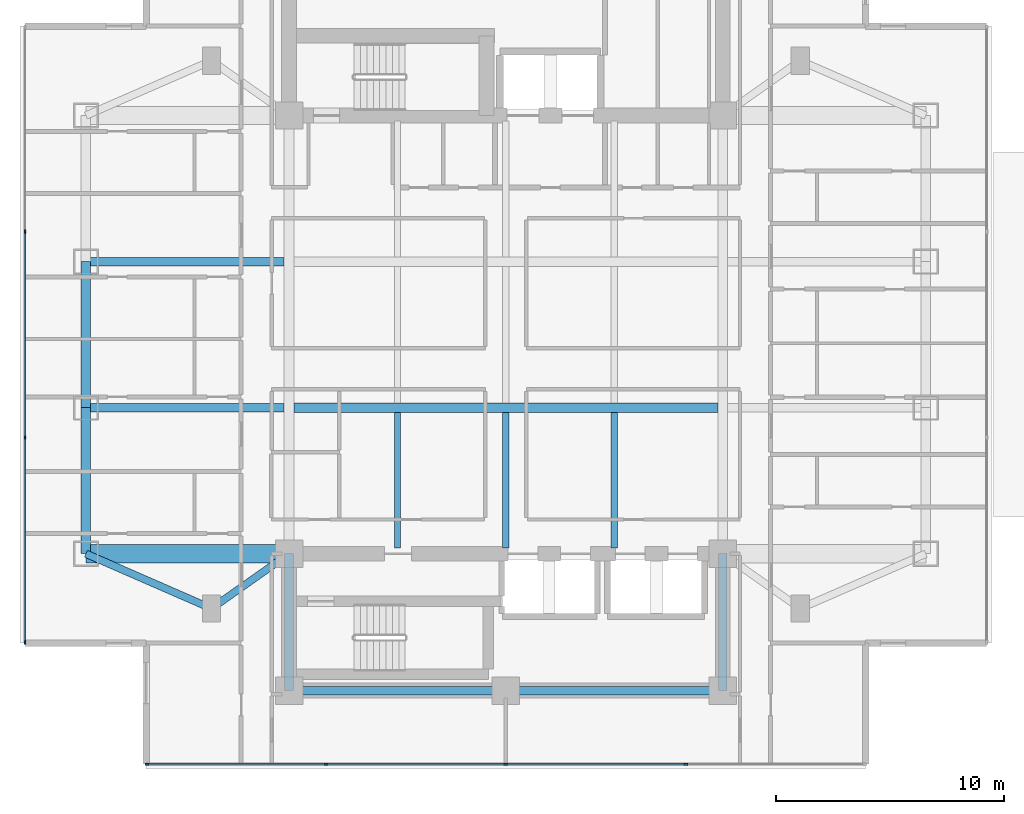
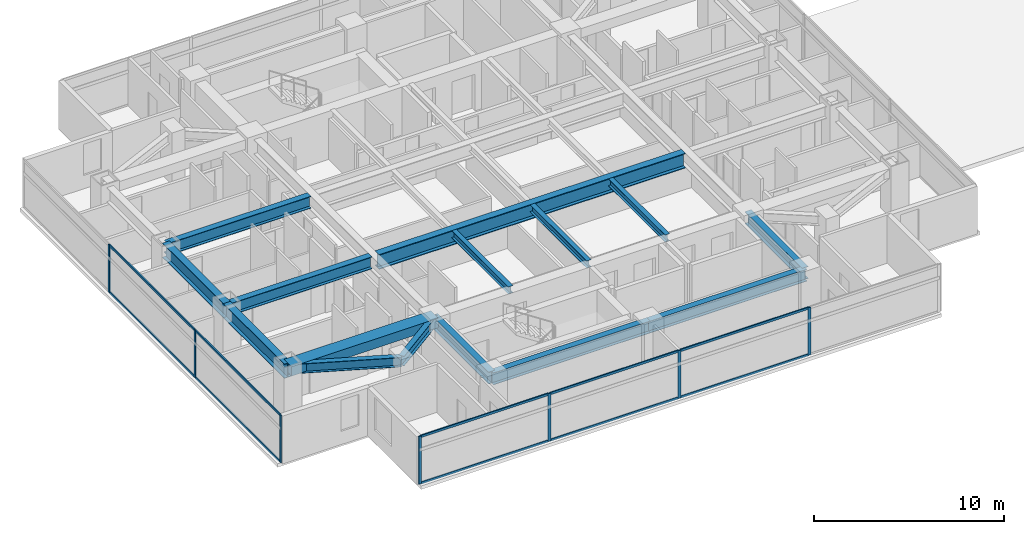
# One storey, part 2 of 26: 17 members, 15 beams, 2 elements without a shape of their own.
"""IFC4 building model written with IfcOpenShell, lengths in metres."""

import ifcopenshell
import ifcopenshell.guid

model = None  # the IFC model being written
_history = None  # IfcOwnerHistory: only IFC2X3 demands one
_inside = {}  # id of a spatial element -> (the spatial element, [elements in it])
_under = {}  # id of a project, library or spatial element -> (it, [spatial elements below it])
_declared = {}  # id of a project -> (the project, [libraries it declares])
_typed = {}  # id of a type object -> (the type object, [elements of that type])
_made_of = {}  # id of a material, layer set ... -> (it, [elements and type objects made of it])


def new_model(schema):
    """Start an empty IFC model of exactly this schema.

    Asked for "IFC4X3", IfcOpenShell would pick the latest addendum, in which some entities
    have other attributes; the version numbers below select the first issue.
    IFC2X3 requires an IfcOwnerHistory on every rooted entity: one is made here for all.
    """
    global model, _history
    if schema == "IFC4X3":
        model = ifcopenshell.file(schema_version=(4, 3, 0, 0))
    else:
        model = ifcopenshell.file(schema=schema)
    _inside.clear()
    _under.clear()
    _declared.clear()
    _typed.clear()
    _made_of.clear()
    _history = None
    if model.schema == "IFC2X3":
        org = make("IfcOrganization", Name="unknown")
        user = make(
            "IfcPersonAndOrganization",
            ThePerson=make("IfcPerson", FamilyName="unknown"),
            TheOrganization=org,
        )
        app = make(
            "IfcApplication",
            ApplicationDeveloper=org,
            Version="unknown",
            ApplicationFullName="unknown",
            ApplicationIdentifier="unknown",
        )
        _history = make(
            "IfcOwnerHistory",
            OwningUser=user,
            OwningApplication=app,
            ChangeAction="ADDED",
            CreationDate=0,
        )
    return model


def make(cls, **values):
    """One entity of the class cls with the attributes given. An attribute that is None is left unset."""
    return model.create_entity(
        cls, **{name: value for name, value in values.items() if value is not None}
    )


def rooted(cls, **values):
    """An entity with a GlobalId (a new one), such as an element, a storey or a relation."""
    return make(cls, GlobalId=ifcopenshell.guid.new(), OwnerHistory=_history, **values)


def si_unit(unit_type, name, prefix=None):
    """IfcSIUnit, for example si_unit("LENGTHUNIT", "METRE", prefix="MILLI")."""
    return make("IfcSIUnit", UnitType=unit_type, Prefix=prefix, Name=name)


def assignment(units):
    """IfcUnitAssignment: the units of a project."""
    return None if units is None else make("IfcUnitAssignment", Units=units)


def point(xyz):
    """IfcCartesianPoint."""
    return None if xyz is None else make("IfcCartesianPoint", Coordinates=xyz)


def direction(xyz):
    """IfcDirection."""
    return None if xyz is None else make("IfcDirection", DirectionRatios=xyz)


def frame(location, z_axis=None, x_axis=None):
    """IfcAxis2Placement3D, a coordinate frame: its origin and axes. An axis left out is left unset."""
    return make(
        "IfcAxis2Placement3D",
        Location=point(location),
        Axis=direction(z_axis),
        RefDirection=direction(x_axis),
    )


def frame_2d(location, x_axis=None):
    """IfcAxis2Placement2D, a coordinate frame in the plane: its origin and x axis."""
    return make(
        "IfcAxis2Placement2D", Location=point(location), RefDirection=direction(x_axis)
    )


def origin():
    """The frame at (0, 0, 0) with its axes left unset."""
    return frame((0.0, 0.0, 0.0))


def origin_2d():
    """The frame at (0, 0) in the plane with its x axis left unset."""
    return frame_2d((0.0, 0.0))


def place(relative_to, where):
    """IfcLocalPlacement: puts the frame where relative to a parent placement (None: the world)."""
    return make(
        "IfcLocalPlacement", PlacementRelTo=relative_to, RelativePlacement=where
    )


def context(
    kind, dimensions, precision=None, world=None, true_north=None, identifier=None
):
    """IfcGeometricRepresentationContext, for example the 3D "Model" context."""
    return make(
        "IfcGeometricRepresentationContext",
        ContextIdentifier=identifier,
        ContextType=kind,
        CoordinateSpaceDimension=dimensions,
        Precision=precision,
        WorldCoordinateSystem=world,
        TrueNorth=true_north,
    )


def subcontext(parent, identifier, kind, view, scale=None):
    """IfcGeometricRepresentationSubContext, for example "Body" below "Model"."""
    return make(
        "IfcGeometricRepresentationSubContext",
        ContextIdentifier=identifier,
        ContextType=kind,
        ParentContext=parent,
        TargetScale=scale,
        TargetView=view,
    )


def project(units=None, contexts=None):
    """IfcProject with its units and contexts."""
    return rooted(
        "IfcProject",
        Name="project",
        RepresentationContexts=contexts,
        UnitsInContext=assignment(units),
    )


def spatial(cls, under=None, at=None, **own):
    """A site, building, storey or space (cls), placed at a placement, below another one or the project."""
    s = rooted(cls, ObjectPlacement=at, **own)
    if under is not None:
        _under.setdefault(under.id(), (under, []))[1].append(s)
    return s


def profile(cls, at=None, kind="AREA", **sizes):
    """A parametric profile (cls). Its sizes go by their IFC names, for example OverallWidth=200.0."""
    return make(cls, ProfileType=kind, Position=at, **sizes)


def rectangle(**sizes):
    """IfcRectangleProfileDef."""
    return profile("IfcRectangleProfileDef", **sizes)


def i_section(**sizes):
    """IfcIShapeProfileDef."""
    return profile("IfcIShapeProfileDef", **sizes)


def extrude(swept, where, along, depth):
    """IfcExtrudedAreaSolid: the profile swept, set in the frame where, extruded along a direction by depth."""
    return make(
        "IfcExtrudedAreaSolid",
        SweptArea=swept,
        Position=where,
        ExtrudedDirection=direction(along),
        Depth=depth,
    )


def shape(context_of_items, identifier, shape_type, items):
    """IfcShapeRepresentation: the items that make up one representation, for example the "Body"."""
    return make(
        "IfcShapeRepresentation",
        ContextOfItems=context_of_items,
        RepresentationIdentifier=identifier,
        RepresentationType=shape_type,
        Items=items,
    )


def material(Name=None, Category=None):
    """IfcMaterial."""
    return make("IfcMaterial", Name=Name, Category=Category)


def material_profile(
    of_material, cross_section, Name=None, Category=None, Priority=None
):
    """IfcMaterialProfile: a cross section and its material."""
    return make(
        "IfcMaterialProfile",
        Name=Name,
        Material=of_material,
        Profile=cross_section,
        Priority=Priority,
        Category=Category,
    )


def profile_set(profiles, Name=None, composite=None):
    """IfcMaterialProfileSet."""
    return make(
        "IfcMaterialProfileSet",
        Name=Name,
        MaterialProfiles=profiles,
        CompositeProfile=composite,
    )


def made_of(thing, what):
    """Note that an element or type object is made of a material, layer set ...; save() writes the relation."""
    if what is not None:
        _made_of.setdefault(what.id(), (what, []))[1].append(thing)
    return thing


def type_object(cls, material=None, **own):
    """A type object (cls), such as IfcWallType, which elements share."""
    return made_of(rooted(cls, **own), material)


def element(
    cls,
    number,
    at=None,
    inside=None,
    cuts=None,
    type_object=None,
    material=None,
    context=None,
    identifier="Body",
    shape_type=None,
    held_by="IfcProductDefinitionShape",
    body=None,
    shapes=None,
    **own,
):
    """One element of the class cls, such as IfcWall. Its Tag is "e" and its number.

    at: its placement. inside: the storey or other place that contains it. cuts: it is an
    opening in that element (IfcRelVoidsElement). A single representation is given by context,
    identifier, shape_type and body (its items); several are given by shapes. held_by: the class
    of the entity that holds the representations. save() writes the other relations.
    """
    e = rooted(cls, Tag="e%d" % number, ObjectPlacement=at, **own)
    if body is not None:
        shapes = [shape(context, identifier, shape_type, body)]
    if shapes is not None:
        e.Representation = make(held_by, Representations=shapes)
    if inside is not None:
        _inside.setdefault(inside.id(), (inside, []))[1].append(e)
    if cuts is not None:
        rooted(
            "IfcRelVoidsElement", RelatingBuildingElement=cuts, RelatedOpeningElement=e
        )
    if type_object is not None:
        _typed.setdefault(type_object.id(), (type_object, []))[1].append(e)
    return made_of(e, material)


def aggregate(whole, parts):
    """IfcRelAggregates: a whole, such as a stair, and the parts it consists of."""
    return rooted("IfcRelAggregates", RelatingObject=whole, RelatedObjects=parts)


def save(model, path):
    """Write the relations noted so far, then the file.

    IfcRelAggregates (storeys below a building ...), IfcRelContainedInSpatialStructure (elements
    in a storey), IfcRelDefinesByType, IfcRelAssociatesMaterial and IfcRelDeclares: one each for
    every whole, place, type object, material and project.
    """
    for whole, parts in _under.values():
        aggregate(whole, parts)
    for where, things in _inside.values():
        rooted(
            "IfcRelContainedInSpatialStructure",
            RelatedElements=things,
            RelatingStructure=where,
        )
    for kind, things in _typed.values():
        rooted("IfcRelDefinesByType", RelatedObjects=things, RelatingType=kind)
    for what, things in _made_of.values():
        rooted("IfcRelAssociatesMaterial", RelatedObjects=things, RelatingMaterial=what)
    for by, libraries in _declared.values():
        rooted("IfcRelDeclares", RelatingContext=by, RelatedDefinitions=libraries)
    model.write(path)


model = new_model("IFC4")

# Units and contexts
model_context = context("Model", 3, precision=1e-05, world=origin(), true_north=direction((0.0, 1.0)))
body_context = subcontext(model_context, "Body", "Model", "MODEL_VIEW")
ifc_project = project(units=[si_unit("LENGTHUNIT", "METRE"), si_unit("AREAUNIT", "SQUARE_METRE"), si_unit("VOLUMEUNIT", "CUBIC_METRE"), si_unit("PLANEANGLEUNIT", "RADIAN"), si_unit("MASSUNIT", "GRAM", prefix="KILO")], contexts=[model_context])

# Site, building, storey
site_placement = place(None, origin())
site = spatial("IfcSite", under=ifc_project, at=site_placement, CompositionType="ELEMENT")
building_placement = place(site_placement, origin())
building = spatial("IfcBuilding", under=site, at=building_placement, Name="Mirazonda Arch Towers", CompositionType="ELEMENT")
storey_placement = place(building_placement, frame((0.0, 0.0, 98.300048828125)))
storey = spatial("IfcBuildingStorey", under=building, at=storey_placement, Name="L27", CompositionType="ELEMENT", Elevation=98.300048828125)

# Beams
ifc_material_1 = material(Name="Steel ASTM A992 Grade 50", Category="steel")
ifc_material_profile_1 = material_profile(ifc_material_1, i_section(OverallWidth=0.41796875, OverallDepth=0.927001953125, WebThickness=0.019287109375, FlangeThickness=0.031982421875, at=origin_2d()), Name="W36X231")
ifc_profile_set_1 = profile_set([ifc_material_profile_1], Name="Steel ASTM A992 Grade 50")
beam_type_1 = type_object("IfcBeamType", Name="BM-EXT-W36X231", PredefinedType="USERDEFINED", material=ifc_profile_set_1)
beam_1_placement = place(storey_placement, frame((2.10009765625, 18.39990234375, 2.616455078125), z_axis=(0.0, 1.0, 0.0), x_axis=(-1.0, 0.0, 0.0)))
element("IfcBeam", 1, at=beam_1_placement, inside=storey, type_object=beam_type_1, Name="L27 Floor Beam BM-T1-L27-NS-W-18", ObjectType="GIRDER", PredefinedType="USERDEFINED", context=body_context, shape_type="SweptSolid", body=[
    extrude(i_section(OverallWidth=0.41796875, OverallDepth=0.927001953125, WebThickness=0.019287109375, FlangeThickness=0.031982421875, at=origin_2d()), origin(), (0.0, 0.0, 1.0), 6.400146484375),
])
beam_2_placement = place(storey_placement, frame((2.10009765625, 24.800048828125, 2.616455078125), z_axis=(0.0, 1.0, 0.0), x_axis=(-1.0, 0.0, 0.0)))
element("IfcBeam", 2, at=beam_2_placement, inside=storey, type_object=beam_type_1, Name="L27 Floor Beam BM-T1-L27-NS-W-24", ObjectType="GIRDER", PredefinedType="USERDEFINED", context=body_context, shape_type="SweptSolid", body=[
    extrude(i_section(OverallWidth=0.41796875, OverallDepth=0.927001953125, WebThickness=0.019287109375, FlangeThickness=0.031982421875, at=origin_2d()), origin(), (0.0, 0.0, 1.0), 6.39990234375),
])
ifc_material_profile_2 = material_profile(ifc_material_1, i_section(OverallWidth=0.280029296875, OverallDepth=0.462890625, WebThickness=0.0107421875, FlangeThickness=0.017333984375, at=origin_2d()), Name="W18X76")
ifc_profile_set_2 = profile_set([ifc_material_profile_2], Name="Steel ASTM A992 Grade 50")
beam_type_2 = type_object("IfcBeamType", Name="BM-INT-W18X76", PredefinedType="JOIST", material=ifc_profile_set_2)
for number, where, z_axis, x_axis, name in (
    (3, (15.75, 18.639892578125, 2.848388671875), (0.0, 1.0, 0.0), (-1.0, 0.0, 0.0), "L27 Floor Beam BM-T1-L27-J-157-18"),
    (4, (20.5, 18.639892578125, 2.848388671875), (0.0, 1.0, 0.0), (-1.0, 0.0, 0.0), "L27 Floor Beam BM-T1-L27-J-205-18"),
    (5, (25.25, 18.639892578125, 2.848388671875), (0.0, 1.0, 0.0), (-1.0, 0.0, 0.0), "L27 Floor Beam BM-T1-L27-J-252-18"),
):
    element("IfcBeam", number, at=place(storey_placement, frame(where, z_axis=z_axis, x_axis=x_axis)), inside=storey, type_object=beam_type_2, Name=name, PredefinedType="JOIST", context=body_context, shape_type="SweptSolid", body=[
        extrude(i_section(OverallWidth=0.280029296875, OverallDepth=0.462890625, WebThickness=0.0107421875, FlangeThickness=0.017333984375, at=origin_2d()), origin(), (0.0, 0.0, 1.0), 5.95263671875),
    ])
ifc_material_profile_3 = material_profile(ifc_material_1, i_section(OverallWidth=0.324951171875, OverallDepth=0.615966796875, WebThickness=0.013916015625, FlangeThickness=0.021484375, at=origin_2d()), Name="W24X117")
ifc_profile_set_3 = profile_set([ifc_material_profile_3], Name="Steel ASTM A992 Grade 50")
beam_type_3 = type_object("IfcBeamType", Name="BM-INT-W24X117", PredefinedType="BEAM", material=ifc_profile_set_3)
beam_3_placement = place(storey_placement, frame((7.60009765625, 16.0, 2.77197265625), z_axis=(0.816971114901, 0.576678591087, 0.0), x_axis=(-0.576678591087, 0.816971114901, 0.0)))
element("IfcBeam", 6, at=beam_3_placement, inside=storey, type_object=beam_type_3, Name="L27 Floor Beam BM-T1-L27-PL-SW1", PredefinedType="BEAM", context=body_context, shape_type="SweptSolid", body=[
    extrude(i_section(OverallWidth=0.324951171875, OverallDepth=0.615966796875, WebThickness=0.013916015625, FlangeThickness=0.021484375, at=origin_2d()), origin(), (0.0, 0.0, 1.0), 4.16162109375),
])
beam_4_placement = place(storey_placement, frame((7.60009765625, 16.0, 2.77197265625), z_axis=(-0.916545343703, 0.399930785183, 0.0), x_axis=(-0.399930785183, -0.916545343703, 0.0)))
element("IfcBeam", 7, at=beam_4_placement, inside=storey, type_object=beam_type_3, Name="L27 Floor Beam BM-T1-L27-PL-SW2", PredefinedType="BEAM", context=body_context, shape_type="SweptSolid", body=[
    extrude(i_section(OverallWidth=0.324951171875, OverallDepth=0.615966796875, WebThickness=0.013916015625, FlangeThickness=0.021484375, at=origin_2d()), origin(), (0.0, 0.0, 1.0), 6.000732421875),
])
ifc_material_profile_4 = material_profile(ifc_material_1, i_section(OverallWidth=0.381103515625, OverallDepth=0.77294921875, WebThickness=0.0166015625, FlangeThickness=0.027099609375, at=origin_2d()), Name="W30X173")
ifc_profile_set_4 = profile_set([ifc_material_profile_4], Name="Steel ASTM A992 Grade 50")
beam_type_4 = type_object("IfcBeamType", Name="BM-INT-W30X173", PredefinedType="USERDEFINED", material=ifc_profile_set_4)
for number, where, z_axis, x_axis, name in (
    (8, (2.10009765625, 24.800048828125, 2.693359375), (1.0, 0.0, 0.0), (0.0, 1.0, 0.0), "L27 Floor Beam BM-T1-L27-GW2"),
    (9, (2.10009765625, 31.199951171875, 2.693359375), (1.0, 0.0, 0.0), (0.0, 1.0, 0.0), "L27 Floor Beam BM-T1-L27-GW3"),
):
    element("IfcBeam", number, at=place(storey_placement, frame(where, z_axis=z_axis, x_axis=x_axis)), inside=storey, type_object=beam_type_4, Name=name, ObjectType="GIRDER", PredefinedType="USERDEFINED", context=body_context, shape_type="SweptSolid", body=[
        extrude(i_section(OverallWidth=0.381103515625, OverallDepth=0.77294921875, WebThickness=0.0166015625, FlangeThickness=0.027099609375, at=origin_2d()), origin(), (0.0, 0.0, 1.0), 8.6884765625),
    ])
for number, where, z_axis, x_axis, name in (
    (10, (11.0, 12.39990234375, 2.693359375), (1.0, 0.0, 0.0), (0.0, 1.0, 0.0), "L27 Floor Beam BM-T1-L27-CS1"),
    (11, (20.5, 12.39990234375, 2.693359375), (1.0, 0.0, 0.0), (0.0, 1.0, 0.0), "L27 Floor Beam BM-T1-L27-CS2"),
):
    element("IfcBeam", number, at=place(storey_placement, frame(where, z_axis=z_axis, x_axis=x_axis)), inside=storey, type_object=beam_type_4, Name=name, ObjectType="GIRDER", PredefinedType="USERDEFINED", context=body_context, shape_type="SweptSolid", body=[
        extrude(i_section(OverallWidth=0.381103515625, OverallDepth=0.77294921875, WebThickness=0.0166015625, FlangeThickness=0.027099609375, at=origin_2d()), origin(), (0.0, 0.0, 1.0), 9.5),
    ])
for number, where, z_axis, x_axis, name in (
    (12, (11.0, 12.39990234375, 2.693359375), (0.0, 1.0, 0.0), (-1.0, 0.0, 0.0), "L27 Floor Beam BM-T1-L27-CSW"),
    (13, (30.0, 12.39990234375, 2.693359375), (0.0, 1.0, 0.0), (-1.0, 0.0, 0.0), "L27 Floor Beam BM-T1-L27-CSE"),
):
    element("IfcBeam", number, at=place(storey_placement, frame(where, z_axis=z_axis, x_axis=x_axis)), inside=storey, type_object=beam_type_4, Name=name, ObjectType="GIRDER", PredefinedType="USERDEFINED", context=body_context, shape_type="SweptSolid", body=[
        extrude(i_section(OverallWidth=0.381103515625, OverallDepth=0.77294921875, WebThickness=0.0166015625, FlangeThickness=0.027099609375, at=origin_2d()), origin(), (0.0, 0.0, 1.0), 6.0),
    ])
ifc_material_profile_5 = material_profile(ifc_material_1, i_section(OverallWidth=0.423095703125, OverallDepth=0.947998046875, WebThickness=0.02392578125, FlangeThickness=0.042724609375, at=origin_2d()), Name="W36X302")
ifc_profile_set_5 = profile_set([ifc_material_profile_5], Name="Steel ASTM A992 Grade 50")
beam_type_5 = type_object("IfcBeamType", Name="BM-INT-W36X302", PredefinedType="USERDEFINED", material=ifc_profile_set_5)
beam_5_placement = place(storey_placement, frame((11.21142578125, 24.800048828125, 2.60595703125), z_axis=(1.0, 0.0, 0.0), x_axis=(0.0, 1.0, 0.0)))
element("IfcBeam", 14, at=beam_5_placement, inside=storey, type_object=beam_type_5, Name="L27 Floor Beam BM-T1-L27-GC2", ObjectType="GIRDER", PredefinedType="USERDEFINED", context=body_context, shape_type="SweptSolid", body=[
    extrude(i_section(OverallWidth=0.423095703125, OverallDepth=0.947998046875, WebThickness=0.02392578125, FlangeThickness=0.042724609375, at=origin_2d()), origin(), (0.0, 0.0, 1.0), 18.5771484375),
])
ifc_material_2 = material(Name="Concrete C60/75", Category="concrete")
ifc_material_profile_6 = material_profile(ifc_material_2, rectangle(XDim=0.800048828125, YDim=0.60009765625, at=origin_2d()), Name="RCCB800x600")
ifc_profile_set_6 = profile_set([ifc_material_profile_6], Name="Concrete C60/75")
beam_type_6 = type_object("IfcBeamType", Name="CB-INT-RCCB800x600", PredefinedType="SPANDREL", material=ifc_profile_set_6)
beam_6_placement = place(storey_placement, frame((2.10009765625, 18.39990234375, 2.780029296875), z_axis=(1.0, 0.0, 0.0), x_axis=(0.0, 1.0, 0.0)))
element("IfcBeam", 15, at=beam_6_placement, inside=storey, type_object=beam_type_6, Name="L27 Floor Beam CBC-T1-L27-SW", PredefinedType="SPANDREL", context=body_context, shape_type="SweptSolid", body=[
    extrude(rectangle(XDim=0.800048828125, YDim=0.60009765625, at=origin_2d()), origin(), (0.0, 0.0, 1.0), 8.89990234375),
])

# Curtain wall, members
ifc_material_3 = material(Name="Anodised Aluminium and Low-E Glass", Category="aluminium")
curtain_wall_type = type_object("IfcCurtainWallType", Name="CW-HTL-UNIT", PredefinedType="NOTDEFINED", material=ifc_material_3)
curtain_wall_1_placement = place(storey_placement, origin())
curtain_wall_1 = element("IfcCurtainWall", 16, at=curtain_wall_1_placement, inside=storey, type_object=curtain_wall_type, Name="L27 T1 S Facade CW-L27-T1-S", PredefinedType="NOTDEFINED")
ifc_material_4 = material(Name="Anodised Aluminium Alloy", Category="aluminium")
ifc_material_profile_7 = material_profile(ifc_material_4, rectangle(XDim=0.074951171875, YDim=0.1650390625, at=origin_2d()), Name="ALU-MULL-75x165")
ifc_profile_set_7 = profile_set([ifc_material_profile_7], Name="Anodised Aluminium Alloy")
member_type_1 = type_object("IfcMemberType", Name="MULL-CW-HTL-UNIT", PredefinedType="MULLION", material=ifc_profile_set_7)
member_1_placement = place(storey_placement, frame((28.382568359375, 9.176025390625, 0.0), z_axis=(0.0, 0.0, 1.0), x_axis=(0.0, -1.0, 0.0)))
member_1 = element("IfcMember", 17, at=member_1_placement, type_object=member_type_1, Name="CW-112 mullion 2", PredefinedType="MULLION", context=body_context, shape_type="SweptSolid", body=[
    extrude(rectangle(XDim=0.074951171875, YDim=0.1650390625, at=origin_2d()), origin(), (0.0, 0.0, 1.0), 3.06005859375),
])
member_2_placement = place(storey_placement, frame((20.5, 9.176025390625, 0.0), z_axis=(0.0, 0.0, 1.0), x_axis=(0.0, -1.0, 0.0)))
member_2 = element("IfcMember", 18, at=member_2_placement, type_object=member_type_1, Name="CW-112 mullion 3", PredefinedType="MULLION", context=body_context, shape_type="SweptSolid", body=[
    extrude(rectangle(XDim=0.074951171875, YDim=0.1650390625, at=origin_2d()), origin(), (0.0, 0.0, 1.0), 3.06005859375),
])
member_3_placement = place(storey_placement, frame((12.617431640625, 9.176025390625, 0.0), z_axis=(0.0, 0.0, 1.0), x_axis=(0.0, -1.0, 0.0)))
member_3 = element("IfcMember", 19, at=member_3_placement, type_object=member_type_1, Name="CW-112 mullion 4", PredefinedType="MULLION", context=body_context, shape_type="SweptSolid", body=[
    extrude(rectangle(XDim=0.074951171875, YDim=0.1650390625, at=origin_2d()), origin(), (0.0, 0.0, 1.0), 3.06005859375),
])
member_4_placement = place(storey_placement, frame((4.7724609375, 9.176025390625, 0.0), z_axis=(0.0, 0.0, 1.0), x_axis=(0.0, -1.0, 0.0)))
member_4 = element("IfcMember", 20, at=member_4_placement, type_object=member_type_1, Name="CW-112 mullion 5", PredefinedType="MULLION", context=body_context, shape_type="SweptSolid", body=[
    extrude(rectangle(XDim=0.074951171875, YDim=0.1650390625, at=origin_2d()), origin(), (0.0, 0.0, 1.0), 3.06005859375),
])

curtain_wall_2_placement = place(storey_placement, origin())
curtain_wall_2 = element("IfcCurtainWall", 21, at=curtain_wall_2_placement, inside=storey, type_object=curtain_wall_type, Name="L27 T1 W Facade CW-L27-T1-W", PredefinedType="NOTDEFINED")
member_5_placement = place(storey_placement, frame((-0.570068359375, 32.50634765625, 0.0), z_axis=(0.0, 0.0, 1.0), x_axis=(1.0, 0.0, 0.0)))
member_5 = element("IfcMember", 22, at=member_5_placement, type_object=member_type_1, Name="CW-112 mullion 2", PredefinedType="MULLION", context=body_context, shape_type="SweptSolid", body=[
    extrude(rectangle(XDim=0.074951171875, YDim=0.1650390625, at=origin_2d()), origin(), (0.0, 0.0, 1.0), 3.06005859375),
])
member_6_placement = place(storey_placement, frame((-0.570068359375, 23.49365234375, 0.0), z_axis=(0.0, 0.0, 1.0), x_axis=(1.0, 0.0, 0.0)))
member_6 = element("IfcMember", 23, at=member_6_placement, type_object=member_type_1, Name="CW-112 mullion 3", PredefinedType="MULLION", context=body_context, shape_type="SweptSolid", body=[
    extrude(rectangle(XDim=0.074951171875, YDim=0.1650390625, at=origin_2d()), origin(), (0.0, 0.0, 1.0), 3.06005859375),
])
member_7_placement = place(storey_placement, frame((-0.570068359375, 14.5185546875, 0.0), z_axis=(0.0, 0.0, 1.0), x_axis=(1.0, 0.0, 0.0)))
member_7 = element("IfcMember", 24, at=member_7_placement, type_object=member_type_1, Name="CW-112 mullion 4", PredefinedType="MULLION", context=body_context, shape_type="SweptSolid", body=[
    extrude(rectangle(XDim=0.074951171875, YDim=0.1650390625, at=origin_2d()), origin(), (0.0, 0.0, 1.0), 3.06005859375),
])

# Member
ifc_material_profile_8 = material_profile(ifc_material_4, rectangle(XDim=0.074951171875, YDim=0.14501953125, at=origin_2d()), Name="ALU-TRAN-75x145")
ifc_profile_set_8 = profile_set([ifc_material_profile_8], Name="Anodised Aluminium Alloy")
member_type_2 = type_object("IfcMemberType", Name="TRAN-CW-HTL-UNIT", PredefinedType="USERDEFINED", material=ifc_profile_set_8)
member_8_placement = place(storey_placement, frame((28.344970703125, 9.176025390625, 0.037353515625), z_axis=(-1.0, 0.0, 0.0), x_axis=(0.0, -1.0, 0.0)))
member_8 = element("IfcMember", 25, at=member_8_placement, type_object=member_type_2, Name="CW-112 transom 2.1", ObjectType="TRANSOM", PredefinedType="USERDEFINED", context=body_context, shape_type="SweptSolid", body=[
    extrude(rectangle(XDim=0.074951171875, YDim=0.14501953125, at=origin_2d()), origin(), (0.0, 0.0, 1.0), 7.807373046875),
])

member_9_placement = place(storey_placement, frame((28.344970703125, 9.176025390625, 3.0224609375), z_axis=(-1.0, 0.0, 0.0), x_axis=(0.0, -1.0, 0.0)))
member_9 = element("IfcMember", 26, at=member_9_placement, type_object=member_type_2, Name="CW-112 transom 2.2", ObjectType="TRANSOM", PredefinedType="USERDEFINED", context=body_context, shape_type="SweptSolid", body=[
    extrude(rectangle(XDim=0.074951171875, YDim=0.14501953125, at=origin_2d()), origin(), (0.0, 0.0, 1.0), 7.807373046875),
])

member_10_placement = place(storey_placement, frame((20.46240234375, 9.176025390625, 0.037353515625), z_axis=(-1.0, 0.0, 0.0), x_axis=(0.0, -1.0, 0.0)))
member_10 = element("IfcMember", 27, at=member_10_placement, type_object=member_type_2, Name="CW-112 transom 3.1", ObjectType="TRANSOM", PredefinedType="USERDEFINED", context=body_context, shape_type="SweptSolid", body=[
    extrude(rectangle(XDim=0.074951171875, YDim=0.14501953125, at=origin_2d()), origin(), (0.0, 0.0, 1.0), 7.807373046875),
])

member_11_placement = place(storey_placement, frame((20.46240234375, 9.176025390625, 3.0224609375), z_axis=(-1.0, 0.0, 0.0), x_axis=(0.0, -1.0, 0.0)))
member_11 = element("IfcMember", 28, at=member_11_placement, type_object=member_type_2, Name="CW-112 transom 3.2", ObjectType="TRANSOM", PredefinedType="USERDEFINED", context=body_context, shape_type="SweptSolid", body=[
    extrude(rectangle(XDim=0.074951171875, YDim=0.14501953125, at=origin_2d()), origin(), (0.0, 0.0, 1.0), 7.807373046875),
])

member_12_placement = place(storey_placement, frame((12.580078125, 9.176025390625, 0.037353515625), z_axis=(-1.0, 0.0, 0.0), x_axis=(0.0, -1.0, 0.0)))
member_12 = element("IfcMember", 29, at=member_12_placement, type_object=member_type_2, Name="CW-112 transom 4.1", ObjectType="TRANSOM", PredefinedType="USERDEFINED", context=body_context, shape_type="SweptSolid", body=[
    extrude(rectangle(XDim=0.074951171875, YDim=0.14501953125, at=origin_2d()), origin(), (0.0, 0.0, 1.0), 7.77001953125),
])

member_13_placement = place(storey_placement, frame((12.580078125, 9.176025390625, 3.0224609375), z_axis=(-1.0, 0.0, 0.0), x_axis=(0.0, -1.0, 0.0)))
member_13 = element("IfcMember", 30, at=member_13_placement, type_object=member_type_2, Name="CW-112 transom 4.2", ObjectType="TRANSOM", PredefinedType="USERDEFINED", context=body_context, shape_type="SweptSolid", body=[
    extrude(rectangle(XDim=0.074951171875, YDim=0.14501953125, at=origin_2d()), origin(), (0.0, 0.0, 1.0), 7.77001953125),
])

aggregate(curtain_wall_1, [member_1, member_2, member_3, member_4, member_8, member_9, member_10, member_11, member_12, member_13])

member_14_placement = place(storey_placement, frame((-0.570068359375, 32.46875, 0.037353515625), z_axis=(0.0, -1.0, 0.0), x_axis=(1.0, 0.0, 0.0)))
member_14 = element("IfcMember", 31, at=member_14_placement, type_object=member_type_2, Name="CW-112 transom 2.1", ObjectType="TRANSOM", PredefinedType="USERDEFINED", context=body_context, shape_type="SweptSolid", body=[
    extrude(rectangle(XDim=0.074951171875, YDim=0.14501953125, at=origin_2d()), origin(), (0.0, 0.0, 1.0), 8.9375),
])

member_15_placement = place(storey_placement, frame((-0.570068359375, 32.46875, 3.0224609375), z_axis=(0.0, -1.0, 0.0), x_axis=(1.0, 0.0, 0.0)))
member_15 = element("IfcMember", 32, at=member_15_placement, type_object=member_type_2, Name="CW-112 transom 2.2", ObjectType="TRANSOM", PredefinedType="USERDEFINED", context=body_context, shape_type="SweptSolid", body=[
    extrude(rectangle(XDim=0.074951171875, YDim=0.14501953125, at=origin_2d()), origin(), (0.0, 0.0, 1.0), 8.9375),
])

member_16_placement = place(storey_placement, frame((-0.570068359375, 23.4560546875, 0.037353515625), z_axis=(0.0, -1.0, 0.0), x_axis=(1.0, 0.0, 0.0)))
member_16 = element("IfcMember", 33, at=member_16_placement, type_object=member_type_2, Name="CW-112 transom 3.1", ObjectType="TRANSOM", PredefinedType="USERDEFINED", context=body_context, shape_type="SweptSolid", body=[
    extrude(rectangle(XDim=0.074951171875, YDim=0.14501953125, at=origin_2d()), origin(), (0.0, 0.0, 1.0), 8.900146484375),
])

member_17_placement = place(storey_placement, frame((-0.570068359375, 23.4560546875, 3.0224609375), z_axis=(0.0, -1.0, 0.0), x_axis=(1.0, 0.0, 0.0)))
member_17 = element("IfcMember", 34, at=member_17_placement, type_object=member_type_2, Name="CW-112 transom 3.2", ObjectType="TRANSOM", PredefinedType="USERDEFINED", context=body_context, shape_type="SweptSolid", body=[
    extrude(rectangle(XDim=0.074951171875, YDim=0.14501953125, at=origin_2d()), origin(), (0.0, 0.0, 1.0), 8.900146484375),
])

aggregate(curtain_wall_2, [member_5, member_6, member_7, member_14, member_15, member_16, member_17])

save(model, "model.ifc")
